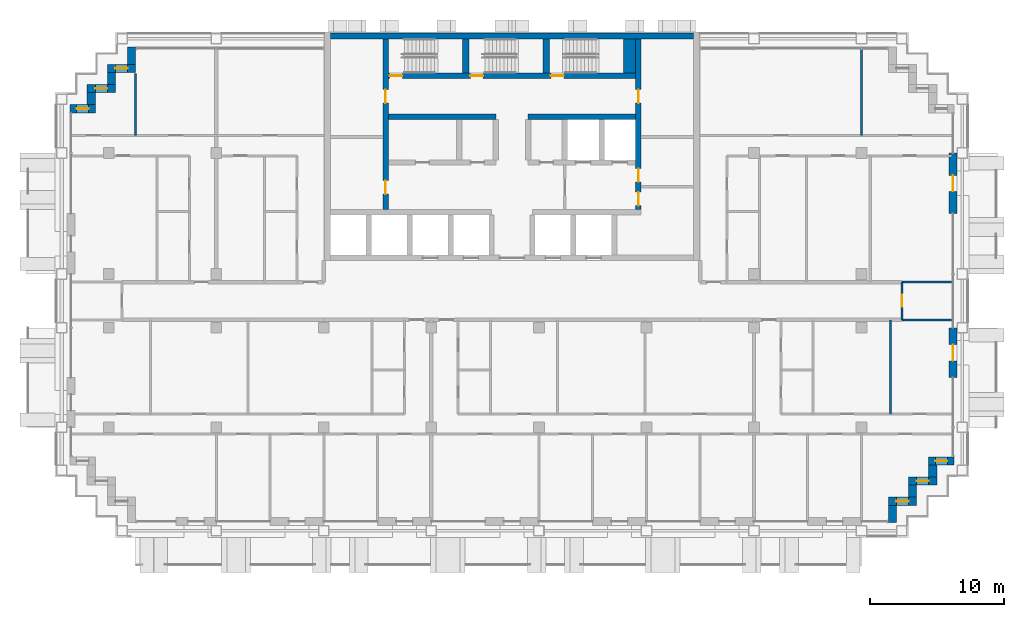
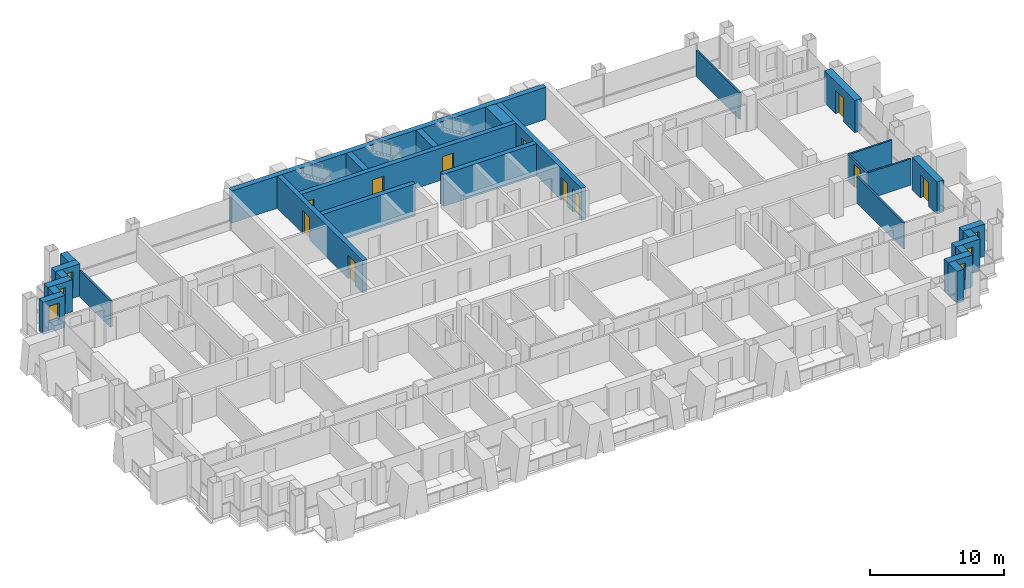
# One storey, part 11 of 16: 29 walls, 11 doors, 6 windows, 17 openings.
"""IFC4 building model written with IfcOpenShell, lengths in metres."""

import ifcopenshell
import ifcopenshell.guid

model = None  # the IFC model being written
_history = None  # IfcOwnerHistory: only IFC2X3 demands one
_inside = {}  # id of a spatial element -> (the spatial element, [elements in it])
_under = {}  # id of a project, library or spatial element -> (it, [spatial elements below it])
_declared = {}  # id of a project -> (the project, [libraries it declares])
_typed = {}  # id of a type object -> (the type object, [elements of that type])
_made_of = {}  # id of a material, layer set ... -> (it, [elements and type objects made of it])


def new_model(schema):
    """Start an empty IFC model of exactly this schema.

    Asked for "IFC4X3", IfcOpenShell would pick the latest addendum, in which some entities
    have other attributes; the version numbers below select the first issue.
    IFC2X3 requires an IfcOwnerHistory on every rooted entity: one is made here for all.
    """
    global model, _history
    if schema == "IFC4X3":
        model = ifcopenshell.file(schema_version=(4, 3, 0, 0))
    else:
        model = ifcopenshell.file(schema=schema)
    _inside.clear()
    _under.clear()
    _declared.clear()
    _typed.clear()
    _made_of.clear()
    _history = None
    if model.schema == "IFC2X3":
        org = make("IfcOrganization", Name="unknown")
        user = make(
            "IfcPersonAndOrganization",
            ThePerson=make("IfcPerson", FamilyName="unknown"),
            TheOrganization=org,
        )
        app = make(
            "IfcApplication",
            ApplicationDeveloper=org,
            Version="unknown",
            ApplicationFullName="unknown",
            ApplicationIdentifier="unknown",
        )
        _history = make(
            "IfcOwnerHistory",
            OwningUser=user,
            OwningApplication=app,
            ChangeAction="ADDED",
            CreationDate=0,
        )
    return model


def make(cls, **values):
    """One entity of the class cls with the attributes given. An attribute that is None is left unset."""
    return model.create_entity(
        cls, **{name: value for name, value in values.items() if value is not None}
    )


def rooted(cls, **values):
    """An entity with a GlobalId (a new one), such as an element, a storey or a relation."""
    return make(cls, GlobalId=ifcopenshell.guid.new(), OwnerHistory=_history, **values)


def si_unit(unit_type, name, prefix=None):
    """IfcSIUnit, for example si_unit("LENGTHUNIT", "METRE", prefix="MILLI")."""
    return make("IfcSIUnit", UnitType=unit_type, Prefix=prefix, Name=name)


def assignment(units):
    """IfcUnitAssignment: the units of a project."""
    return None if units is None else make("IfcUnitAssignment", Units=units)


def point(xyz):
    """IfcCartesianPoint."""
    return None if xyz is None else make("IfcCartesianPoint", Coordinates=xyz)


def direction(xyz):
    """IfcDirection."""
    return None if xyz is None else make("IfcDirection", DirectionRatios=xyz)


def frame(location, z_axis=None, x_axis=None):
    """IfcAxis2Placement3D, a coordinate frame: its origin and axes. An axis left out is left unset."""
    return make(
        "IfcAxis2Placement3D",
        Location=point(location),
        Axis=direction(z_axis),
        RefDirection=direction(x_axis),
    )


def frame_2d(location, x_axis=None):
    """IfcAxis2Placement2D, a coordinate frame in the plane: its origin and x axis."""
    return make(
        "IfcAxis2Placement2D", Location=point(location), RefDirection=direction(x_axis)
    )


def origin():
    """The frame at (0, 0, 0) with its axes left unset."""
    return frame((0.0, 0.0, 0.0))


def place(relative_to, where):
    """IfcLocalPlacement: puts the frame where relative to a parent placement (None: the world)."""
    return make(
        "IfcLocalPlacement", PlacementRelTo=relative_to, RelativePlacement=where
    )


def context(
    kind, dimensions, precision=None, world=None, true_north=None, identifier=None
):
    """IfcGeometricRepresentationContext, for example the 3D "Model" context."""
    return make(
        "IfcGeometricRepresentationContext",
        ContextIdentifier=identifier,
        ContextType=kind,
        CoordinateSpaceDimension=dimensions,
        Precision=precision,
        WorldCoordinateSystem=world,
        TrueNorth=true_north,
    )


def subcontext(parent, identifier, kind, view, scale=None):
    """IfcGeometricRepresentationSubContext, for example "Body" below "Model"."""
    return make(
        "IfcGeometricRepresentationSubContext",
        ContextIdentifier=identifier,
        ContextType=kind,
        ParentContext=parent,
        TargetScale=scale,
        TargetView=view,
    )


def project(units=None, contexts=None):
    """IfcProject with its units and contexts."""
    return rooted(
        "IfcProject",
        Name="project",
        RepresentationContexts=contexts,
        UnitsInContext=assignment(units),
    )


def spatial(cls, under=None, at=None, **own):
    """A site, building, storey or space (cls), placed at a placement, below another one or the project."""
    s = rooted(cls, ObjectPlacement=at, **own)
    if under is not None:
        _under.setdefault(under.id(), (under, []))[1].append(s)
    return s


def profile(cls, at=None, kind="AREA", **sizes):
    """A parametric profile (cls). Its sizes go by their IFC names, for example OverallWidth=200.0."""
    return make(cls, ProfileType=kind, Position=at, **sizes)


def rectangle(**sizes):
    """IfcRectangleProfileDef."""
    return profile("IfcRectangleProfileDef", **sizes)


def extrude(swept, where, along, depth):
    """IfcExtrudedAreaSolid: the profile swept, set in the frame where, extruded along a direction by depth."""
    return make(
        "IfcExtrudedAreaSolid",
        SweptArea=swept,
        Position=where,
        ExtrudedDirection=direction(along),
        Depth=depth,
    )


def shape(context_of_items, identifier, shape_type, items):
    """IfcShapeRepresentation: the items that make up one representation, for example the "Body"."""
    return make(
        "IfcShapeRepresentation",
        ContextOfItems=context_of_items,
        RepresentationIdentifier=identifier,
        RepresentationType=shape_type,
        Items=items,
    )


def material(Name=None, Category=None):
    """IfcMaterial."""
    return make("IfcMaterial", Name=Name, Category=Category)


def layer(
    of_material, thickness, ventilated=None, Name=None, Category=None, Priority=None
):
    """IfcMaterialLayer: one layer of a wall or slab, of a material (None: an air gap)."""
    return make(
        "IfcMaterialLayer",
        Material=of_material,
        LayerThickness=thickness,
        IsVentilated=ventilated,
        Name=Name,
        Category=Category,
        Priority=Priority,
    )


def layer_set(layers, Name=None):
    """IfcMaterialLayerSet."""
    return make("IfcMaterialLayerSet", MaterialLayers=layers, LayerSetName=Name)


def made_of(thing, what):
    """Note that an element or type object is made of a material, layer set ...; save() writes the relation."""
    if what is not None:
        _made_of.setdefault(what.id(), (what, []))[1].append(thing)
    return thing


def type_object(cls, material=None, **own):
    """A type object (cls), such as IfcWallType, which elements share."""
    return made_of(rooted(cls, **own), material)


def element(
    cls,
    number,
    at=None,
    inside=None,
    cuts=None,
    type_object=None,
    material=None,
    context=None,
    identifier="Body",
    shape_type=None,
    held_by="IfcProductDefinitionShape",
    body=None,
    shapes=None,
    **own,
):
    """One element of the class cls, such as IfcWall. Its Tag is "e" and its number.

    at: its placement. inside: the storey or other place that contains it. cuts: it is an
    opening in that element (IfcRelVoidsElement). A single representation is given by context,
    identifier, shape_type and body (its items); several are given by shapes. held_by: the class
    of the entity that holds the representations. save() writes the other relations.
    """
    e = rooted(cls, Tag="e%d" % number, ObjectPlacement=at, **own)
    if body is not None:
        shapes = [shape(context, identifier, shape_type, body)]
    if shapes is not None:
        e.Representation = make(held_by, Representations=shapes)
    if inside is not None:
        _inside.setdefault(inside.id(), (inside, []))[1].append(e)
    if cuts is not None:
        rooted(
            "IfcRelVoidsElement", RelatingBuildingElement=cuts, RelatedOpeningElement=e
        )
    if type_object is not None:
        _typed.setdefault(type_object.id(), (type_object, []))[1].append(e)
    return made_of(e, material)


def fill(opening, filler):
    """IfcRelFillsElement: the door or window that sits in an opening."""
    return rooted(
        "IfcRelFillsElement",
        RelatingOpeningElement=opening,
        RelatedBuildingElement=filler,
    )


def aggregate(whole, parts):
    """IfcRelAggregates: a whole, such as a stair, and the parts it consists of."""
    return rooted("IfcRelAggregates", RelatingObject=whole, RelatedObjects=parts)


def save(model, path):
    """Write the relations noted so far, then the file.

    IfcRelAggregates (storeys below a building ...), IfcRelContainedInSpatialStructure (elements
    in a storey), IfcRelDefinesByType, IfcRelAssociatesMaterial and IfcRelDeclares: one each for
    every whole, place, type object, material and project.
    """
    for whole, parts in _under.values():
        aggregate(whole, parts)
    for where, things in _inside.values():
        rooted(
            "IfcRelContainedInSpatialStructure",
            RelatedElements=things,
            RelatingStructure=where,
        )
    for kind, things in _typed.values():
        rooted("IfcRelDefinesByType", RelatedObjects=things, RelatingType=kind)
    for what, things in _made_of.values():
        rooted("IfcRelAssociatesMaterial", RelatedObjects=things, RelatingMaterial=what)
    for by, libraries in _declared.values():
        rooted("IfcRelDeclares", RelatingContext=by, RelatedDefinitions=libraries)
    model.write(path)


model = new_model("IFC4")

# Units and contexts
model_context = context("Model", 3, precision=1e-05, world=origin(), true_north=direction((0.0, 1.0)))
body_context = subcontext(model_context, "Body", "Model", "MODEL_VIEW")
ifc_project = project(units=[si_unit("LENGTHUNIT", "METRE"), si_unit("AREAUNIT", "SQUARE_METRE"), si_unit("VOLUMEUNIT", "CUBIC_METRE"), si_unit("PLANEANGLEUNIT", "RADIAN"), si_unit("MASSUNIT", "GRAM", prefix="KILO")], contexts=[model_context])

# Site, building, storey
site_placement = place(None, origin())
site = spatial("IfcSite", under=ifc_project, at=site_placement, CompositionType="ELEMENT")
building_placement = place(site_placement, origin())
building = spatial("IfcBuilding", under=site, at=building_placement, Name="Vidyagriha Tower", CompositionType="ELEMENT")
storey_placement = place(building_placement, frame((0.0, 0.0, 145.39990234375)))
storey = spatial("IfcBuildingStorey", under=building, at=storey_placement, Name="L38", CompositionType="ELEMENT", Elevation=145.39990234375)

# Wall
ifc_material_1 = material(Name="Precast concrete C40/50 with brick facing", Category="concrete")
ifc_layer_1 = layer(ifc_material_1, 0.60009765625)
ifc_layer_set_1 = layer_set([ifc_layer_1], Name="Precast concrete C40/50 with brick facing")
wall_type_1 = type_object("IfcWallType", Name="Brick-faced precast wall 600", PredefinedType="STANDARD", material=ifc_layer_set_1)
wall_1_placement = place(storey_placement, frame((-28.300048828125, 18.8798828125, 0.0), z_axis=(0.0, 0.0, 1.0), x_axis=(0.0, -1.0, 0.0)))
element("IfcWall", 1, at=wall_1_placement, inside=storey, type_object=wall_type_1, Name="Stepped corner wall L38 R10", PredefinedType="STANDARD", context=body_context, shape_type="SweptSolid", body=[
    extrude(rectangle(XDim=1.27978515625, YDim=0.60009765625, at=frame_2d((0.639892578125, 0.0))), origin(), (0.0, 0.0, 1.0), 2.920166015625),
])

# Wall, opening, window
wall_2_placement = place(storey_placement, frame((-28.0, 17.300048828125, 0.0), z_axis=(0.0, 0.0, 1.0), x_axis=(-1.0, 0.0, 0.0)))
wall_2 = element("IfcWall", 2, at=wall_2_placement, inside=storey, type_object=wall_type_1, Name="Stepped corner wall L38 R11", PredefinedType="STANDARD", context=body_context, shape_type="SweptSolid", body=[
    extrude(rectangle(XDim=2.10009765625, YDim=0.60009765625, at=frame_2d((1.050048828125, 0.0))), origin(), (0.0, 0.0, 1.0), 2.920166015625),
])
opening_1_placement = place(wall_2_placement, frame((0.60009765625, 0.0, 0.89990234375)))
opening_1 = element("IfcOpeningElement", 3, at=opening_1_placement, cuts=wall_2, Name="Opening WN1", PredefinedType="OPENING", context=body_context, shape_type="SweptSolid", body=[
    extrude(rectangle(XDim=0.89990234375, YDim=1.5, at=frame_2d((0.449951171875, 0.75))), frame((0.0, 0.31005859375, 0.0), z_axis=(0.0, -1.0, 0.0), x_axis=(1.0, 0.0, 0.0)), (0.0, 0.0, 1.0), 0.6201171875),
])
ifc_material_2 = material(Name="Aluminium and glass window", Category="aluminium")
window_type = type_object("IfcWindowType", Name="Reveal window 900x1500", PartitioningType="NOTDEFINED", PredefinedType="WINDOW", material=ifc_material_2)
window_1_placement = place(opening_1_placement, origin())
window_1 = element("IfcWindow", 4, at=window_1_placement, inside=storey, type_object=window_type, Name="Reveal window L38 R11", OverallHeight=1.5, OverallWidth=0.89990234375, PartitioningType="SINGLE_PANEL", PredefinedType="WINDOW", context=body_context, shape_type="SweptSolid", body=[
    extrude(rectangle(XDim=0.89990234375, YDim=1.5, at=frame_2d((0.449951171875, 0.75))), frame((0.0, 0.030029296875, 0.0), z_axis=(0.0, -1.0, 0.0), x_axis=(1.0, 0.0, 0.0)), (0.0, 0.0, 1.0), 0.06005859375),
])
fill(opening_1, window_1)

# Wall
wall_3_placement = place(storey_placement, frame((-29.800048828125, 17.0, 0.0), z_axis=(0.0, 0.0, 1.0), x_axis=(0.0, -1.0, 0.0)))
element("IfcWall", 5, at=wall_3_placement, inside=storey, type_object=wall_type_1, Name="Stepped corner wall L38 R12", PredefinedType="STANDARD", context=body_context, shape_type="SweptSolid", body=[
    extrude(rectangle(XDim=0.89990234375, YDim=0.60009765625, at=frame_2d((0.449951171875, 0.0))), origin(), (0.0, 0.0, 1.0), 2.920166015625),
])

# Wall, opening, window
wall_4_placement = place(storey_placement, frame((-29.5, 15.800048828125, 0.0), z_axis=(0.0, 0.0, 1.0), x_axis=(-1.0, 0.0, 0.0)))
wall_4 = element("IfcWall", 6, at=wall_4_placement, inside=storey, type_object=wall_type_1, Name="Stepped corner wall L38 R13", PredefinedType="STANDARD", context=body_context, shape_type="SweptSolid", body=[
    extrude(rectangle(XDim=2.10009765625, YDim=0.60009765625, at=frame_2d((1.050048828125, 0.0))), origin(), (0.0, 0.0, 1.0), 2.920166015625),
])
opening_2_placement = place(wall_4_placement, frame((0.60009765625, 0.0, 0.89990234375)))
opening_2 = element("IfcOpeningElement", 7, at=opening_2_placement, cuts=wall_4, Name="Opening WN1", PredefinedType="OPENING", context=body_context, shape_type="SweptSolid", body=[
    extrude(rectangle(XDim=0.89990234375, YDim=1.5, at=frame_2d((0.449951171875, 0.75))), frame((0.0, 0.31005859375, 0.0), z_axis=(0.0, -1.0, 0.0), x_axis=(1.0, 0.0, 0.0)), (0.0, 0.0, 1.0), 0.6201171875),
])
window_2_placement = place(opening_2_placement, origin())
window_2 = element("IfcWindow", 8, at=window_2_placement, inside=storey, type_object=window_type, Name="Reveal window L38 R13", OverallHeight=1.5, OverallWidth=0.89990234375, PartitioningType="SINGLE_PANEL", PredefinedType="WINDOW", context=body_context, shape_type="SweptSolid", body=[
    extrude(rectangle(XDim=0.89990234375, YDim=1.5, at=frame_2d((0.449951171875, 0.75))), frame((0.0, 0.030029296875, 0.0), z_axis=(0.0, -1.0, 0.0), x_axis=(1.0, 0.0, 0.0)), (0.0, 0.0, 1.0), 0.06005859375),
])
fill(opening_2, window_2)

# Wall
wall_5_placement = place(storey_placement, frame((-31.300048828125, 15.5, 0.0), z_axis=(0.0, 0.0, 1.0), x_axis=(0.0, -1.0, 0.0)))
element("IfcWall", 9, at=wall_5_placement, inside=storey, type_object=wall_type_1, Name="Stepped corner wall L38 R14", PredefinedType="STANDARD", context=body_context, shape_type="SweptSolid", body=[
    extrude(rectangle(XDim=0.89990234375, YDim=0.60009765625, at=frame_2d((0.449951171875, 0.0))), origin(), (0.0, 0.0, 1.0), 2.920166015625),
])

# Wall, opening, window
wall_6_placement = place(storey_placement, frame((-31.0, 14.300048828125, 0.0), z_axis=(0.0, 0.0, 1.0), x_axis=(-1.0, 0.0, 0.0)))
wall_6 = element("IfcWall", 10, at=wall_6_placement, inside=storey, type_object=wall_type_1, Name="Stepped corner wall L38 R15", PredefinedType="STANDARD", context=body_context, shape_type="SweptSolid", body=[
    extrude(rectangle(XDim=1.8798828125, YDim=0.60009765625, at=frame_2d((0.93994140625, 0.0))), origin(), (0.0, 0.0, 1.0), 2.920166015625),
])
opening_3_placement = place(wall_6_placement, frame((0.489990234375, 0.0, 0.89990234375)))
opening_3 = element("IfcOpeningElement", 11, at=opening_3_placement, cuts=wall_6, Name="Opening WN1", PredefinedType="OPENING", context=body_context, shape_type="SweptSolid", body=[
    extrude(rectangle(XDim=0.89990234375, YDim=1.5, at=frame_2d((0.449951171875, 0.75))), frame((0.0, 0.31005859375, 0.0), z_axis=(0.0, -1.0, 0.0), x_axis=(1.0, 0.0, 0.0)), (0.0, 0.0, 1.0), 0.6201171875),
])
window_3_placement = place(opening_3_placement, origin())
window_3 = element("IfcWindow", 12, at=window_3_placement, inside=storey, type_object=window_type, Name="Reveal window L38 R15", OverallHeight=1.5, OverallWidth=0.89990234375, PartitioningType="SINGLE_PANEL", PredefinedType="WINDOW", context=body_context, shape_type="SweptSolid", body=[
    extrude(rectangle(XDim=0.89990234375, YDim=1.5, at=frame_2d((0.449951171875, 0.75))), frame((0.0, 0.030029296875, 0.0), z_axis=(0.0, -1.0, 0.0), x_axis=(1.0, 0.0, 0.0)), (0.0, 0.0, 1.0), 0.06005859375),
])
fill(opening_3, window_3)

# Wall
wall_7_placement = place(storey_placement, frame((28.300048828125, -16.47998046875, 0.0), z_axis=(0.0, 0.0, 1.0), x_axis=(0.0, 1.0, 0.0)))
element("IfcWall", 13, at=wall_7_placement, inside=storey, type_object=wall_type_1, Name="Stepped corner wall L38 R24", PredefinedType="STANDARD", context=body_context, shape_type="SweptSolid", body=[
    extrude(rectangle(XDim=1.280029296875, YDim=0.60009765625, at=frame_2d((0.64013671875, 0.0))), origin(), (0.0, 0.0, 1.0), 2.920166015625),
])

# Wall, opening, window
wall_8_placement = place(storey_placement, frame((28.0, -14.89990234375, 0.0)))
wall_8 = element("IfcWall", 14, at=wall_8_placement, inside=storey, type_object=wall_type_1, Name="Stepped corner wall L38 R25", PredefinedType="STANDARD", context=body_context, shape_type="SweptSolid", body=[
    extrude(rectangle(XDim=2.10009765625, YDim=0.60009765625, at=frame_2d((1.050048828125, 0.0))), origin(), (0.0, 0.0, 1.0), 2.920166015625),
])
opening_4_placement = place(wall_8_placement, frame((0.60009765625, 0.0, 0.89990234375)))
opening_4 = element("IfcOpeningElement", 15, at=opening_4_placement, cuts=wall_8, Name="Opening WN1", PredefinedType="OPENING", context=body_context, shape_type="SweptSolid", body=[
    extrude(rectangle(XDim=0.89990234375, YDim=1.5, at=frame_2d((0.449951171875, 0.75))), frame((0.0, 0.31005859375, 0.0), z_axis=(0.0, -1.0, 0.0), x_axis=(1.0, 0.0, 0.0)), (0.0, 0.0, 1.0), 0.6201171875),
])
window_4_placement = place(opening_4_placement, origin())
window_4 = element("IfcWindow", 16, at=window_4_placement, inside=storey, type_object=window_type, Name="Reveal window L38 R25", OverallHeight=1.5, OverallWidth=0.89990234375, PartitioningType="SINGLE_PANEL", PredefinedType="WINDOW", context=body_context, shape_type="SweptSolid", body=[
    extrude(rectangle(XDim=0.89990234375, YDim=1.5, at=frame_2d((0.449951171875, 0.75))), frame((0.0, 0.030029296875, 0.0), z_axis=(0.0, -1.0, 0.0), x_axis=(1.0, 0.0, 0.0)), (0.0, 0.0, 1.0), 0.06005859375),
])
fill(opening_4, window_4)

# Wall
wall_9_placement = place(storey_placement, frame((29.800048828125, -14.60009765625, 0.0), z_axis=(0.0, 0.0, 1.0), x_axis=(0.0, 1.0, 0.0)))
element("IfcWall", 17, at=wall_9_placement, inside=storey, type_object=wall_type_1, Name="Stepped corner wall L38 R26", PredefinedType="STANDARD", context=body_context, shape_type="SweptSolid", body=[
    extrude(rectangle(XDim=0.900146484375, YDim=0.60009765625, at=frame_2d((0.4501953125, 0.0))), origin(), (0.0, 0.0, 1.0), 2.920166015625),
])

# Wall, opening, window
wall_10_placement = place(storey_placement, frame((29.5, -13.39990234375, 0.0)))
wall_10 = element("IfcWall", 18, at=wall_10_placement, inside=storey, type_object=wall_type_1, Name="Stepped corner wall L38 R27", PredefinedType="STANDARD", context=body_context, shape_type="SweptSolid", body=[
    extrude(rectangle(XDim=2.10009765625, YDim=0.60009765625, at=frame_2d((1.050048828125, 0.0))), origin(), (0.0, 0.0, 1.0), 2.920166015625),
])
opening_5_placement = place(wall_10_placement, frame((0.60009765625, 0.0, 0.89990234375)))
opening_5 = element("IfcOpeningElement", 19, at=opening_5_placement, cuts=wall_10, Name="Opening WN1", PredefinedType="OPENING", context=body_context, shape_type="SweptSolid", body=[
    extrude(rectangle(XDim=0.89990234375, YDim=1.5, at=frame_2d((0.449951171875, 0.75))), frame((0.0, 0.31005859375, 0.0), z_axis=(0.0, -1.0, 0.0), x_axis=(1.0, 0.0, 0.0)), (0.0, 0.0, 1.0), 0.6201171875),
])
window_5_placement = place(opening_5_placement, origin())
window_5 = element("IfcWindow", 20, at=window_5_placement, inside=storey, type_object=window_type, Name="Reveal window L38 R27", OverallHeight=1.5, OverallWidth=0.89990234375, PartitioningType="SINGLE_PANEL", PredefinedType="WINDOW", context=body_context, shape_type="SweptSolid", body=[
    extrude(rectangle(XDim=0.89990234375, YDim=1.5, at=frame_2d((0.449951171875, 0.75))), frame((0.0, 0.030029296875, 0.0), z_axis=(0.0, -1.0, 0.0), x_axis=(1.0, 0.0, 0.0)), (0.0, 0.0, 1.0), 0.06005859375),
])
fill(opening_5, window_5)

# Wall
wall_11_placement = place(storey_placement, frame((31.300048828125, -13.10009765625, 0.0), z_axis=(0.0, 0.0, 1.0), x_axis=(0.0, 1.0, 0.0)))
element("IfcWall", 21, at=wall_11_placement, inside=storey, type_object=wall_type_1, Name="Stepped corner wall L38 R28", PredefinedType="STANDARD", context=body_context, shape_type="SweptSolid", body=[
    extrude(rectangle(XDim=0.900146484375, YDim=0.60009765625, at=frame_2d((0.4501953125, 0.0))), origin(), (0.0, 0.0, 1.0), 2.920166015625),
])

# Wall, opening, window
wall_12_placement = place(storey_placement, frame((31.0, -11.89990234375, 0.0)))
wall_12 = element("IfcWall", 22, at=wall_12_placement, inside=storey, type_object=wall_type_1, Name="Stepped corner wall L38 R29", PredefinedType="STANDARD", context=body_context, shape_type="SweptSolid", body=[
    extrude(rectangle(XDim=1.8798828125, YDim=0.60009765625, at=frame_2d((0.93994140625, 0.0))), origin(), (0.0, 0.0, 1.0), 2.920166015625),
])
opening_6_placement = place(wall_12_placement, frame((0.489990234375, 0.0, 0.89990234375)))
opening_6 = element("IfcOpeningElement", 23, at=opening_6_placement, cuts=wall_12, Name="Opening WN1", PredefinedType="OPENING", context=body_context, shape_type="SweptSolid", body=[
    extrude(rectangle(XDim=0.89990234375, YDim=1.5, at=frame_2d((0.449951171875, 0.75))), frame((0.0, 0.31005859375, 0.0), z_axis=(0.0, -1.0, 0.0), x_axis=(1.0, 0.0, 0.0)), (0.0, 0.0, 1.0), 0.6201171875),
])
window_6_placement = place(opening_6_placement, origin())
window_6 = element("IfcWindow", 24, at=window_6_placement, inside=storey, type_object=window_type, Name="Reveal window L38 R29", OverallHeight=1.5, OverallWidth=0.89990234375, PartitioningType="SINGLE_PANEL", PredefinedType="WINDOW", context=body_context, shape_type="SweptSolid", body=[
    extrude(rectangle(XDim=0.89990234375, YDim=1.5, at=frame_2d((0.449951171875, 0.75))), frame((0.0, 0.030029296875, 0.0), z_axis=(0.0, -1.0, 0.0), x_axis=(1.0, 0.0, 0.0)), (0.0, 0.0, 1.0), 0.06005859375),
])
fill(opening_6, window_6)

# Wall, opening, door
wall_13_placement = place(storey_placement, frame((32.800048828125, -5.699951171875, 0.0), z_axis=(0.0, 0.0, 1.0), x_axis=(0.0, 1.0, 0.0)))
wall_13 = element("IfcWall", 25, at=wall_13_placement, inside=storey, type_object=wall_type_1, Name="Brick door bay wall L38 R30.3", PredefinedType="STANDARD", context=body_context, shape_type="SweptSolid", body=[
    extrude(rectangle(XDim=3.699951171875, YDim=0.60009765625, at=frame_2d((1.85009765625, 0.0))), origin(), (0.0, 0.0, 1.0), 2.920166015625),
])
opening_7_placement = place(wall_13_placement, frame((1.25, 0.0, 0.0)))
opening_7 = element("IfcOpeningElement", 26, at=opening_7_placement, cuts=wall_13, Name="Opening D38-74", PredefinedType="OPENING", context=body_context, shape_type="SweptSolid", body=[
    extrude(rectangle(XDim=1.199951171875, YDim=2.10009765625, at=frame_2d((0.60009765625, 1.050048828125))), frame((0.0, 0.31005859375, 0.0), z_axis=(0.0, -1.0, 0.0), x_axis=(1.0, 0.0, 0.0)), (0.0, 0.0, 1.0), 0.6201171875),
])
ifc_material_3 = material(Name="Aluminium framed glazed sliding door", Category="aluminium")
door_type_1 = type_object("IfcDoorType", Name="Balcony sliding door 1200x2100", OperationType="NOTDEFINED", PredefinedType="DOOR", material=ifc_material_3)
door_1_placement = place(opening_7_placement, origin())
door_1 = element("IfcDoor", 27, at=door_1_placement, inside=storey, type_object=door_type_1, Name="Door D38-74", OperationType="SLIDING_TO_LEFT", OverallHeight=2.10009765625, OverallWidth=1.199951171875, PredefinedType="DOOR", context=body_context, shape_type="SweptSolid", body=[
    extrude(rectangle(XDim=1.199951171875, YDim=2.10009765625, at=frame_2d((0.60009765625, 1.050048828125))), frame((0.0, 0.02490234375, 0.0), z_axis=(0.0, -1.0, 0.0), x_axis=(1.0, 0.0, 0.0)), (0.0, 0.0, 1.0), 0.050048828125),
])
fill(opening_7, door_1)

wall_14_placement = place(storey_placement, frame((32.800048828125, 6.5, 0.0), z_axis=(0.0, 0.0, 1.0), x_axis=(0.0, 1.0, 0.0)))
wall_14 = element("IfcWall", 28, at=wall_14_placement, inside=storey, type_object=wall_type_1, Name="Brick door bay wall L38 R30.6", PredefinedType="STANDARD", context=body_context, shape_type="SweptSolid", body=[
    extrude(rectangle(XDim=4.5, YDim=0.60009765625, at=frame_2d((2.25, 0.0))), origin(), (0.0, 0.0, 1.0), 2.920166015625),
])
opening_8_placement = place(wall_14_placement, frame((1.64990234375, 0.0, 0.0)))
opening_8 = element("IfcOpeningElement", 29, at=opening_8_placement, cuts=wall_14, Name="Opening D38-75", PredefinedType="OPENING", context=body_context, shape_type="SweptSolid", body=[
    extrude(rectangle(XDim=1.199951171875, YDim=2.10009765625, at=frame_2d((0.60009765625, 1.050048828125))), frame((0.0, 0.31005859375, 0.0), z_axis=(0.0, -1.0, 0.0), x_axis=(1.0, 0.0, 0.0)), (0.0, 0.0, 1.0), 0.6201171875),
])
door_2_placement = place(opening_8_placement, origin())
door_2 = element("IfcDoor", 30, at=door_2_placement, inside=storey, type_object=door_type_1, Name="Door D38-75", OperationType="SLIDING_TO_LEFT", OverallHeight=2.10009765625, OverallWidth=1.199951171875, PredefinedType="DOOR", context=body_context, shape_type="SweptSolid", body=[
    extrude(rectangle(XDim=1.199951171875, YDim=2.10009765625, at=frame_2d((0.60009765625, 1.050048828125))), frame((0.0, 0.02490234375, 0.0), z_axis=(0.0, -1.0, 0.0), x_axis=(1.0, 0.0, 0.0)), (0.0, 0.0, 1.0), 0.050048828125),
])
fill(opening_8, door_2)

# Wall, openings, doors
ifc_material_4 = material(Name="Concrete C60/75", Category="concrete")
ifc_layer_2 = layer(ifc_material_4, 0.39990234375)
ifc_layer_set_2 = layer_set([ifc_layer_2], Name="Concrete C60/75")
wall_type_2 = type_object("IfcWallType", Name="Core shear wall 400 mm", PredefinedType="SHEAR", material=ifc_layer_set_2)
wall_15_placement = place(storey_placement, frame((-9.39990234375, 6.800048828125, 0.0), z_axis=(0.0, 0.0, 1.0), x_axis=(0.0, 1.0, 0.0)))
wall_15 = element("IfcWall", 31, at=wall_15_placement, inside=storey, type_object=wall_type_2, Name="Core west spine wall", PredefinedType="SHEAR", context=body_context, shape_type="SweptSolid", body=[
    extrude(rectangle(XDim=12.699951171875, YDim=0.39990234375, at=frame_2d((6.35009765625, 0.0))), origin(), (0.0, 0.0, 1.0), 2.920166015625),
])
opening_9_placement = place(wall_15_placement, frame((1.14990234375, 0.0, 0.0)))
opening_9 = element("IfcOpeningElement", 32, at=opening_9_placement, cuts=wall_15, Name="Opening D38-09", PredefinedType="OPENING", context=body_context, shape_type="SweptSolid", body=[
    extrude(rectangle(XDim=1.0, YDim=2.10009765625, at=frame_2d((0.5, 1.050048828125))), frame((0.0, 0.2099609375, 0.0), z_axis=(0.0, -1.0, 0.0), x_axis=(1.0, 0.0, 0.0)), (0.0, 0.0, 1.0), 0.419921875),
])
opening_10_placement = place(wall_15_placement, frame((7.925048828125, 0.0, 0.0)))
opening_10 = element("IfcOpeningElement", 33, at=opening_10_placement, cuts=wall_15, Name="Opening D38-10", PredefinedType="OPENING", context=body_context, shape_type="SweptSolid", body=[
    extrude(rectangle(XDim=1.0, YDim=2.10009765625, at=frame_2d((0.5, 1.050048828125))), frame((0.0, 0.2099609375, 0.0), z_axis=(0.0, -1.0, 0.0), x_axis=(1.0, 0.0, 0.0)), (0.0, 0.0, 1.0), 0.419921875),
])
ifc_material_5 = material(Name="Hollow metal door leaf")
door_type_2 = type_object("IfcDoorType", Name="Core room door 1000 x 2100 mm EI 60", OperationType="NOTDEFINED", PredefinedType="DOOR", material=ifc_material_5)
door_3_placement = place(opening_9_placement, frame((1.0, 0.0, 0.0), z_axis=(0.0, 0.0, 1.0), x_axis=(-1.0, 0.0, 0.0)))
door_3 = element("IfcDoor", 34, at=door_3_placement, inside=storey, type_object=door_type_2, Name="Door Pressurisation Plant Room 38.W1", OperationType="SINGLE_SWING_RIGHT", OverallHeight=2.10009765625, OverallWidth=1.0, PredefinedType="DOOR", context=body_context, shape_type="SweptSolid", body=[
    extrude(rectangle(XDim=1.0, YDim=2.10009765625, at=frame_2d((0.5, 1.050048828125))), frame((0.0, 0.02490234375, 0.0), z_axis=(0.0, -1.0, 0.0), x_axis=(1.0, 0.0, 0.0)), (0.0, 0.0, 1.0), 0.050048828125),
])
fill(opening_9, door_3)
door_4_placement = place(opening_10_placement, frame((1.0, 0.0, 0.0), z_axis=(0.0, 0.0, 1.0), x_axis=(-1.0, 0.0, 0.0)))
door_4 = element("IfcDoor", 35, at=door_4_placement, inside=storey, type_object=door_type_2, Name="Door Switchgear Room 38.W2", OperationType="SINGLE_SWING_LEFT", OverallHeight=2.10009765625, OverallWidth=1.0, PredefinedType="DOOR", context=body_context, shape_type="SweptSolid", body=[
    extrude(rectangle(XDim=1.0, YDim=2.10009765625, at=frame_2d((0.5, 1.050048828125))), frame((0.0, 0.02490234375, 0.0), z_axis=(0.0, -1.0, 0.0), x_axis=(1.0, 0.0, 0.0)), (0.0, 0.0, 1.0), 0.050048828125),
])
fill(opening_10, door_4)

wall_16_placement = place(storey_placement, frame((9.39990234375, 6.800048828125, 0.0), z_axis=(0.0, 0.0, 1.0), x_axis=(0.0, 1.0, 0.0)))
wall_16 = element("IfcWall", 36, at=wall_16_placement, inside=storey, type_object=wall_type_2, Name="Core east spine wall", PredefinedType="SHEAR", context=body_context, shape_type="SweptSolid", body=[
    extrude(rectangle(XDim=12.699951171875, YDim=0.39990234375, at=frame_2d((6.35009765625, 0.0))), origin(), (0.0, 0.0, 1.0), 2.920166015625),
])
opening_11_placement = place(wall_16_placement, frame((0.300048828125, 0.0, 0.0)))
opening_11 = element("IfcOpeningElement", 37, at=opening_11_placement, cuts=wall_16, Name="Opening D38-11", PredefinedType="OPENING", context=body_context, shape_type="SweptSolid", body=[
    extrude(rectangle(XDim=1.0, YDim=2.10009765625, at=frame_2d((0.5, 1.050048828125))), frame((0.0, 0.2099609375, 0.0), z_axis=(0.0, -1.0, 0.0), x_axis=(1.0, 0.0, 0.0)), (0.0, 0.0, 1.0), 0.419921875),
])
opening_12_placement = place(wall_16_placement, frame((2.050048828125, 0.0, 0.0)))
opening_12 = element("IfcOpeningElement", 38, at=opening_12_placement, cuts=wall_16, Name="Opening D38-12", PredefinedType="OPENING", context=body_context, shape_type="SweptSolid", body=[
    extrude(rectangle(XDim=1.0, YDim=2.10009765625, at=frame_2d((0.5, 1.050048828125))), frame((0.0, 0.2099609375, 0.0), z_axis=(0.0, -1.0, 0.0), x_axis=(1.0, 0.0, 0.0)), (0.0, 0.0, 1.0), 0.419921875),
])
opening_13_placement = place(wall_16_placement, frame((7.925048828125, 0.0, 0.0)))
opening_13 = element("IfcOpeningElement", 39, at=opening_13_placement, cuts=wall_16, Name="Opening D38-13", PredefinedType="OPENING", context=body_context, shape_type="SweptSolid", body=[
    extrude(rectangle(XDim=1.0, YDim=2.10009765625, at=frame_2d((0.5, 1.050048828125))), frame((0.0, 0.2099609375, 0.0), z_axis=(0.0, -1.0, 0.0), x_axis=(1.0, 0.0, 0.0)), (0.0, 0.0, 1.0), 0.419921875),
])
door_5_placement = place(opening_11_placement, origin())
door_5 = element("IfcDoor", 40, at=door_5_placement, inside=storey, type_object=door_type_2, Name="Door Switchgear Room 38.E1", OperationType="SINGLE_SWING_RIGHT", OverallHeight=2.10009765625, OverallWidth=1.0, PredefinedType="DOOR", context=body_context, shape_type="SweptSolid", body=[
    extrude(rectangle(XDim=1.0, YDim=2.10009765625, at=frame_2d((0.5, 1.050048828125))), frame((0.0, 0.02490234375, 0.0), z_axis=(0.0, -1.0, 0.0), x_axis=(1.0, 0.0, 0.0)), (0.0, 0.0, 1.0), 0.050048828125),
])
fill(opening_11, door_5)
door_6_placement = place(opening_12_placement, origin())
door_6 = element("IfcDoor", 41, at=door_6_placement, inside=storey, type_object=door_type_2, Name="Door Electrical Room 38.E2", OperationType="SINGLE_SWING_LEFT", OverallHeight=2.10009765625, OverallWidth=1.0, PredefinedType="DOOR", context=body_context, shape_type="SweptSolid", body=[
    extrude(rectangle(XDim=1.0, YDim=2.10009765625, at=frame_2d((0.5, 1.050048828125))), frame((0.0, 0.02490234375, 0.0), z_axis=(0.0, -1.0, 0.0), x_axis=(1.0, 0.0, 0.0)), (0.0, 0.0, 1.0), 0.050048828125),
])
fill(opening_12, door_6)
door_7_placement = place(opening_13_placement, origin())
door_7 = element("IfcDoor", 42, at=door_7_placement, inside=storey, type_object=door_type_2, Name="Door Refuse Room 38.E3", OperationType="SINGLE_SWING_LEFT", OverallHeight=2.10009765625, OverallWidth=1.0, PredefinedType="DOOR", context=body_context, shape_type="SweptSolid", body=[
    extrude(rectangle(XDim=1.0, YDim=2.10009765625, at=frame_2d((0.5, 1.050048828125))), frame((0.0, 0.02490234375, 0.0), z_axis=(0.0, -1.0, 0.0), x_axis=(1.0, 0.0, 0.0)), (0.0, 0.0, 1.0), 0.050048828125),
])
fill(opening_13, door_7)

# Walls
for number, where, name in (
    (43, (-9.199951171875, 13.699951171875, 0.0), "Core row N rear wall"),
    (44, (1.199951171875, 13.699951171875, 0.0), "Core row N rear wall"),
):
    element("IfcWall", number, at=place(storey_placement, frame(where)), inside=storey, type_object=wall_type_2, Name=name, PredefinedType="SHEAR", context=body_context, shape_type="SweptSolid", body=[
        extrude(rectangle(XDim=8.0, YDim=0.39990234375, at=frame_2d((4.0, 0.0))), origin(), (0.0, 0.0, 1.0), 2.920166015625),
    ])

# Wall, openings, doors
wall_17_placement = place(storey_placement, frame((-9.199951171875, 16.75, 0.0)))
wall_17 = element("IfcWall", 45, at=wall_17_placement, inside=storey, type_object=wall_type_2, Name="Stair front wall", PredefinedType="SHEAR", context=body_context, shape_type="SweptSolid", body=[
    extrude(rectangle(XDim=18.39990234375, YDim=0.39990234375, at=frame_2d((9.199951171875, 0.0))), origin(), (0.0, 0.0, 1.0), 2.920166015625),
])
opening_14_placement = place(wall_17_placement, frame((0.10009765625, 0.0, 0.0)))
opening_14 = element("IfcOpeningElement", 46, at=opening_14_placement, cuts=wall_17, Name="Opening D38-06", PredefinedType="OPENING", context=body_context, shape_type="SweptSolid", body=[
    extrude(rectangle(XDim=0.949951171875, YDim=2.10009765625, at=frame_2d((0.47509765625, 1.050048828125))), frame((0.0, 0.2099609375, 0.0), z_axis=(0.0, -1.0, 0.0), x_axis=(1.0, 0.0, 0.0)), (0.0, 0.0, 1.0), 0.419921875),
])
opening_15_placement = place(wall_17_placement, frame((6.10009765625, 0.0, 0.0)))
opening_15 = element("IfcOpeningElement", 47, at=opening_15_placement, cuts=wall_17, Name="Opening D38-07", PredefinedType="OPENING", context=body_context, shape_type="SweptSolid", body=[
    extrude(rectangle(XDim=0.949951171875, YDim=2.10009765625, at=frame_2d((0.47509765625, 1.050048828125))), frame((0.0, 0.2099609375, 0.0), z_axis=(0.0, -1.0, 0.0), x_axis=(1.0, 0.0, 0.0)), (0.0, 0.0, 1.0), 0.419921875),
])
opening_16_placement = place(wall_17_placement, frame((12.10009765625, 0.0, 0.0)))
opening_16 = element("IfcOpeningElement", 48, at=opening_16_placement, cuts=wall_17, Name="Opening D38-08", PredefinedType="OPENING", context=body_context, shape_type="SweptSolid", body=[
    extrude(rectangle(XDim=0.949951171875, YDim=2.10009765625, at=frame_2d((0.47509765625, 1.050048828125))), frame((0.0, 0.2099609375, 0.0), z_axis=(0.0, -1.0, 0.0), x_axis=(1.0, 0.0, 0.0)), (0.0, 0.0, 1.0), 0.419921875),
])
ifc_material_6 = material(Name="Hollow metal door leaf")
door_type_3 = type_object("IfcDoorType", Name="Exit stair door 950 x 2100 mm EI 90", OperationType="NOTDEFINED", PredefinedType="DOOR", material=ifc_material_6)
door_8_placement = place(opening_14_placement, origin())
door_8 = element("IfcDoor", 49, at=door_8_placement, inside=storey, type_object=door_type_3, Name="Stair door ST1 L38", OperationType="SINGLE_SWING_LEFT", OverallHeight=2.10009765625, OverallWidth=0.949951171875, PredefinedType="DOOR", context=body_context, shape_type="SweptSolid", body=[
    extrude(rectangle(XDim=0.949951171875, YDim=2.10009765625, at=frame_2d((0.47509765625, 1.050048828125))), frame((0.0, 0.02490234375, 0.0), z_axis=(0.0, -1.0, 0.0), x_axis=(1.0, 0.0, 0.0)), (0.0, 0.0, 1.0), 0.050048828125),
])
fill(opening_14, door_8)
door_9_placement = place(opening_15_placement, origin())
door_9 = element("IfcDoor", 50, at=door_9_placement, inside=storey, type_object=door_type_3, Name="Stair door ST2 L38", OperationType="SINGLE_SWING_LEFT", OverallHeight=2.10009765625, OverallWidth=0.949951171875, PredefinedType="DOOR", context=body_context, shape_type="SweptSolid", body=[
    extrude(rectangle(XDim=0.949951171875, YDim=2.10009765625, at=frame_2d((0.47509765625, 1.050048828125))), frame((0.0, 0.02490234375, 0.0), z_axis=(0.0, -1.0, 0.0), x_axis=(1.0, 0.0, 0.0)), (0.0, 0.0, 1.0), 0.050048828125),
])
fill(opening_15, door_9)
door_10_placement = place(opening_16_placement, origin())
door_10 = element("IfcDoor", 51, at=door_10_placement, inside=storey, type_object=door_type_3, Name="Stair door ST3 L38", OperationType="SINGLE_SWING_LEFT", OverallHeight=2.10009765625, OverallWidth=0.949951171875, PredefinedType="DOOR", context=body_context, shape_type="SweptSolid", body=[
    extrude(rectangle(XDim=0.949951171875, YDim=2.10009765625, at=frame_2d((0.47509765625, 1.050048828125))), frame((0.0, 0.02490234375, 0.0), z_axis=(0.0, -1.0, 0.0), x_axis=(1.0, 0.0, 0.0)), (0.0, 0.0, 1.0), 0.050048828125),
])
fill(opening_16, door_10)

# Walls
ifc_material_7 = material(Name="Concrete C60/75", Category="concrete")
ifc_layer_3 = layer(ifc_material_7, 0.449951171875)
ifc_layer_set_3 = layer_set([ifc_layer_3], Name="Concrete C60/75")
wall_type_3 = type_object("IfcWallType", Name="Core shear wall 450 mm", PredefinedType="SHEAR", material=ifc_layer_set_3)
wall_18_placement = place(storey_placement, frame((-13.5, 19.72509765625, 0.0)))
element("IfcWall", 52, at=wall_18_placement, inside=storey, type_object=wall_type_3, Name="Core north wall", PredefinedType="SHEAR", context=body_context, shape_type="SweptSolid", body=[
    extrude(rectangle(XDim=27.0, YDim=0.449951171875, at=frame_2d((13.5, 0.0))), origin(), (0.0, 0.0, 1.0), 2.920166015625),
])
ifc_material_8 = material(Name="Concrete C60/75", Category="concrete")
ifc_layer_4 = layer(ifc_material_8, 0.5)
ifc_layer_set_4 = layer_set([ifc_layer_4], Name="Concrete C60/75")
wall_type_4 = type_object("IfcWallType", Name="Core shear wall 500 mm", PredefinedType="SHEAR", material=ifc_layer_set_4)
for number, where, z_axis, x_axis, name in (
    (53, (-3.449951171875, 16.949951171875, 0.0), (0.0, 0.0, 1.0), (0.0, 1.0, 0.0), "Stair partition wall 1"),
    (54, (2.550048828125, 16.949951171875, 0.0), (0.0, 0.0, 1.0), (0.0, 1.0, 0.0), "Stair partition wall 2"),
):
    element("IfcWall", number, at=place(storey_placement, frame(where, z_axis=z_axis, x_axis=x_axis)), inside=storey, type_object=wall_type_4, Name=name, PredefinedType="SHEAR", context=body_context, shape_type="SweptSolid", body=[
        extrude(rectangle(XDim=2.550048828125, YDim=0.5, at=frame_2d((1.27490234375, 0.0))), origin(), (0.0, 0.0, 1.0), 2.920166015625),
    ])
ifc_material_9 = material(Name="Concrete C60/75", Category="concrete")
ifc_layer_5 = layer(ifc_material_9, 0.89990234375)
ifc_layer_set_5 = layer_set([ifc_layer_5], Name="Concrete C60/75")
wall_type_5 = type_object("IfcWallType", Name="Core shear wall 900 mm", PredefinedType="SHEAR", material=ifc_layer_set_5)
wall_19_placement = place(storey_placement, frame((8.75, 16.949951171875, 0.0), z_axis=(0.0, 0.0, 1.0), x_axis=(0.0, 1.0, 0.0)))
element("IfcWall", 55, at=wall_19_placement, inside=storey, type_object=wall_type_5, Name="Stair end wall", PredefinedType="SHEAR", context=body_context, shape_type="SweptSolid", body=[
    extrude(rectangle(XDim=2.550048828125, YDim=0.89990234375, at=frame_2d((1.27490234375, 0.0))), origin(), (0.0, 0.0, 1.0), 2.920166015625),
])
ifc_material_10 = material(Name="Gypsum board partition")
ifc_layer_6 = layer(ifc_material_10, 0.14990234375)
ifc_layer_set_6 = layer_set([ifc_layer_6], Name="Gypsum board partition")
wall_type_6 = type_object("IfcWallType", Name="Gypsum board partition 150", PredefinedType="PARTITIONING", material=ifc_layer_set_6)
wall_20_placement = place(storey_placement, frame((28.14990234375, -1.39990234375, 0.0), z_axis=(0.0, 0.0, 1.0), x_axis=(0.0, -1.0, 0.0)))
element("IfcWall", 56, at=wall_20_placement, inside=storey, type_object=wall_type_6, Name="Wall all-L38-w051", PredefinedType="PARTITIONING", context=body_context, shape_type="SweptSolid", body=[
    extrude(rectangle(XDim=7.0, YDim=0.14990234375, at=frame_2d((3.5, 0.0))), origin(), (0.0, 0.0, 1.0), 2.400146484375),
])
wall_21_placement = place(storey_placement, frame((32.719970703125, -1.39990234375, 0.0), z_axis=(0.0, 0.0, 1.0), x_axis=(-1.0, 0.0, 0.0)))
element("IfcWall", 57, at=wall_21_placement, inside=storey, type_object=wall_type_6, Name="Wall all-L38-w066", PredefinedType="PARTITIONING", context=body_context, shape_type="SweptSolid", body=[
    extrude(rectangle(XDim=3.719970703125, YDim=0.14990234375, at=frame_2d((1.85986328125, 0.0))), origin(), (0.0, 0.0, 1.0), 2.400146484375),
])
wall_22_placement = place(storey_placement, frame((-28.0, 16.919921875, 0.0), z_axis=(0.0, 0.0, 1.0), x_axis=(0.0, -1.0, 0.0)))
element("IfcWall", 58, at=wall_22_placement, inside=storey, type_object=wall_type_6, Name="Wall all-L38-w077", PredefinedType="PARTITIONING", context=body_context, shape_type="SweptSolid", body=[
    extrude(rectangle(XDim=4.619873046875, YDim=0.14990234375, at=frame_2d((2.31005859375, 0.0))), origin(), (0.0, 0.0, 1.0), 2.400146484375),
])
wall_23_placement = place(storey_placement, frame((26.0, 18.720947265625, 0.0), z_axis=(0.0, 0.0, 1.0), x_axis=(0.0, -1.0, 0.0)))
element("IfcWall", 59, at=wall_23_placement, inside=storey, type_object=wall_type_6, Name="Wall all-L38-w106", PredefinedType="PARTITIONING", context=body_context, shape_type="SweptSolid", body=[
    extrude(rectangle(XDim=6.4208984375, YDim=0.14990234375, at=frame_2d((3.21044921875, 0.0))), origin(), (0.0, 0.0, 1.0), 2.400146484375),
])
wall_24_placement = place(storey_placement, frame((29.0, 1.39990234375, 0.0)))
element("IfcWall", 60, at=wall_24_placement, inside=storey, type_object=wall_type_6, Name="Wall all-L38-w109", PredefinedType="PARTITIONING", context=body_context, shape_type="SweptSolid", body=[
    extrude(rectangle(XDim=3.719970703125, YDim=0.14990234375, at=frame_2d((1.85986328125, 0.0))), origin(), (0.0, 0.0, 1.0), 2.400146484375),
])

# Wall, opening, door
wall_25_placement = place(storey_placement, frame((29.0, -1.39990234375, 0.0), z_axis=(0.0, 0.0, 1.0), x_axis=(0.0, 1.0, 0.0)))
wall_25 = element("IfcWall", 61, at=wall_25_placement, inside=storey, type_object=wall_type_6, Name="Wall all-L38-w112", PredefinedType="PARTITIONING", context=body_context, shape_type="SweptSolid", body=[
    extrude(rectangle(XDim=2.7998046875, YDim=0.14990234375, at=frame_2d((1.39990234375, 0.0))), origin(), (0.0, 0.0, 1.0), 2.400146484375),
])
opening_17_placement = place(wall_25_placement, frame((0.949951171875, 0.0, 0.0)))
opening_17 = element("IfcOpeningElement", 62, at=opening_17_placement, cuts=wall_25, Name="Opening D38-64", PredefinedType="OPENING", context=body_context, shape_type="SweptSolid", body=[
    extrude(rectangle(XDim=0.89990234375, YDim=2.10009765625, at=frame_2d((0.449951171875, 1.050048828125))), frame((0.0, 0.0849609375, 0.0), z_axis=(0.0, -1.0, 0.0), x_axis=(1.0, 0.0, 0.0)), (0.0, 0.0, 1.0), 0.169921875),
])
ifc_material_11 = material(Name="Timber door leaf", Category="wood")
door_type_4 = type_object("IfcDoorType", Name="Room door 900x2100", OperationType="NOTDEFINED", PredefinedType="DOOR", material=ifc_material_11)
door_11_placement = place(opening_17_placement, origin())
door_11 = element("IfcDoor", 63, at=door_11_placement, inside=storey, type_object=door_type_4, Name="Door D38-64", OperationType="SINGLE_SWING_RIGHT", OverallHeight=2.10009765625, OverallWidth=0.89990234375, PredefinedType="DOOR", context=body_context, shape_type="SweptSolid", body=[
    extrude(rectangle(XDim=0.89990234375, YDim=2.10009765625, at=frame_2d((0.449951171875, 1.050048828125))), frame((0.0, 0.02490234375, 0.0), z_axis=(0.0, -1.0, 0.0), x_axis=(1.0, 0.0, 0.0)), (0.0, 0.0, 1.0), 0.050048828125),
])
fill(opening_17, door_11)

save(model, "model.ifc")
